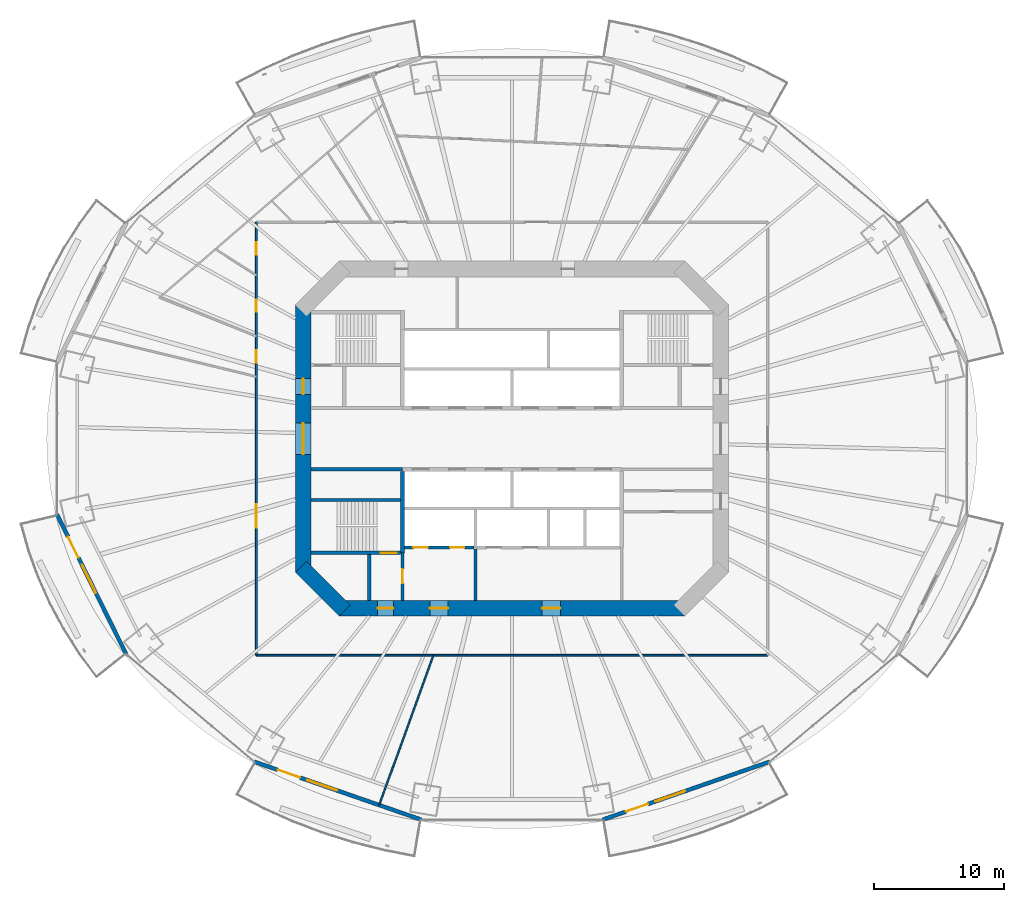
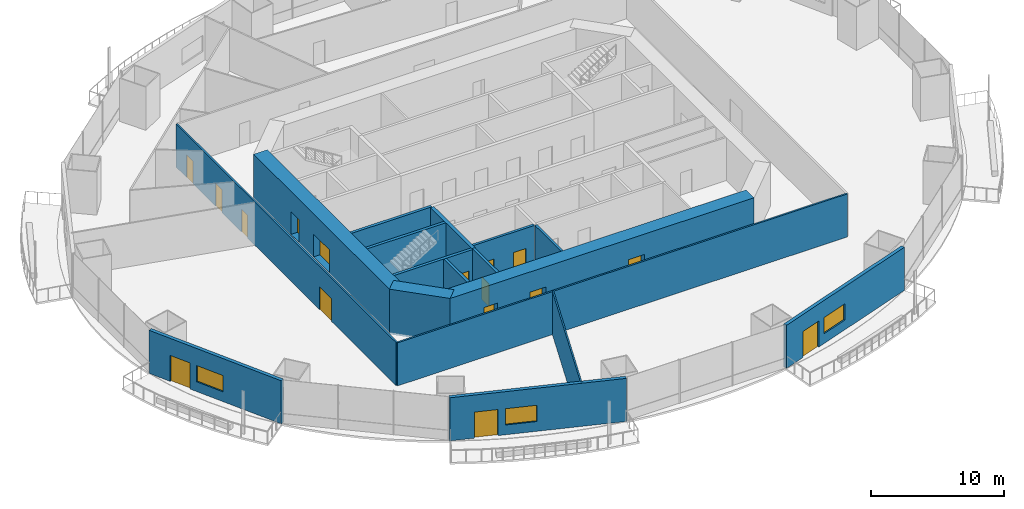
# One storey, part 13 of 22: 17 walls, 16 doors, 3 windows, 19 openings.
"""IFC4 building model written with IfcOpenShell, lengths in metres."""

from ifc_helpers import new_model, si_unit, direction, frame, frame_2d, origin, place, context, subcontext, project, spatial, rectangle, extrude, material, layer, layer_set, type_object, element, fill, save


model = new_model("IFC4")

# Units and contexts
model_context = context("Model", 3, precision=1e-05, world=origin(), true_north=direction((0.0, 1.0)))
body_context = subcontext(model_context, "Body", "Model", "MODEL_VIEW")
ifc_project = project(units=[si_unit("LENGTHUNIT", "METRE"), si_unit("AREAUNIT", "SQUARE_METRE"), si_unit("VOLUMEUNIT", "CUBIC_METRE"), si_unit("PLANEANGLEUNIT", "RADIAN"), si_unit("MASSUNIT", "GRAM", prefix="KILO")], contexts=[model_context])

# Site, building, storey
site_placement = place(None, origin())
site = spatial("IfcSite", under=ifc_project, at=site_placement, CompositionType="ELEMENT")
building_placement = place(site_placement, origin())
building = spatial("IfcBuilding", under=site, at=building_placement, Name="Marenthal Gate Tower", CompositionType="ELEMENT")
storey_placement = place(building_placement, frame((0.0, 0.0, 74.5)))
storey = spatial("IfcBuildingStorey", under=building, at=storey_placement, Name="L14", CompositionType="ELEMENT", Elevation=74.5)

# Wall, openings, doors
ifc_material_1 = material(Name="Concrete 60 MPa", Category="concrete")
ifc_layer_1 = layer(ifc_material_1, 1.199951171875)
ifc_layer_set_1 = layer_set([ifc_layer_1], Name="Core shear wall 1200")
wall_type_1 = type_object("IfcWallType", Name="Core shear wall 1200", PredefinedType="SHEAR", material=ifc_layer_set_1)
wall_1_placement = place(storey_placement, frame((-16.0, 10.24853515625, -0.179931640625), z_axis=(0.0, 0.0, 1.0), x_axis=(0.0, -1.0, 0.0)))
wall_1 = element("IfcWall", 1, at=wall_1_placement, inside=storey, type_object=wall_type_1, Name="Core wall 06", PredefinedType="SHEAR", context=body_context, shape_type="SweptSolid", body=[
    extrude(rectangle(XDim=20.4970703125, YDim=1.199951171875, at=frame_2d((10.24853515625, 0.0))), origin(), (0.0, 0.0, 1.0), 4.14990234375),
])
opening_1_placement = place(wall_1_placement, frame((9.048583984375, 0.0, 0.179931640625)))
opening_1 = element("IfcOpeningElement", 2, at=opening_1_placement, cuts=wall_1, Name="Opening D003.01", PredefinedType="OPENING", context=body_context, shape_type="SweptSolid", body=[
    extrude(rectangle(XDim=2.39990234375, YDim=2.10009765625, at=frame_2d((1.199951171875, 1.050048828125))), frame((0.0, 0.60986328125, 0.0), z_axis=(0.0, -1.0, 0.0), x_axis=(1.0, 0.0, 0.0)), (0.0, 0.0, 1.0), 1.219970703125),
])
opening_2_placement = place(wall_1_placement, frame((5.6484375, 0.0, 0.179931640625)))
opening_2 = element("IfcOpeningElement", 3, at=opening_2_placement, cuts=wall_1, Name="Opening D001.04", PredefinedType="OPENING", context=body_context, shape_type="SweptSolid", body=[
    extrude(rectangle(XDim=1.199951171875, YDim=2.10009765625, at=frame_2d((0.60009765625, 1.050048828125))), frame((0.0, 0.60986328125, 0.0), z_axis=(0.0, -1.0, 0.0), x_axis=(1.0, 0.0, 0.0)), (0.0, 0.0, 1.0), 1.219970703125),
])
ifc_material_2 = material(Name="Steel fire door", Category="steel")
door_type_1 = type_object("IfcDoorType", Name="Double fire door FD 45 2400 x 2100", OperationType="DOUBLE_DOOR_SINGLE_SWING", PredefinedType="DOOR", material=ifc_material_2)
door_1_placement = place(opening_1_placement, origin())
door_1 = element("IfcDoor", 4, at=door_1_placement, inside=storey, type_object=door_type_1, Name="Door D003.01", OperationType="DOUBLE_DOOR_SINGLE_SWING", OverallHeight=2.10009765625, OverallWidth=2.39990234375, PredefinedType="DOOR", context=body_context, shape_type="SweptSolid", body=[
    extrude(rectangle(XDim=2.39990234375, YDim=2.10009765625, at=frame_2d((1.199951171875, 1.050048828125))), frame((0.0, 0.02490234375, 0.0), z_axis=(0.0, -1.0, 0.0), x_axis=(1.0, 0.0, 0.0)), (0.0, 0.0, 1.0), 0.050048828125),
])
fill(opening_1, door_1)
ifc_material_3 = material(Name="Steel fire door", Category="steel")
door_type_2 = type_object("IfcDoorType", Name="Fire door FD 90 1200 x 2100", OperationType="NOTDEFINED", PredefinedType="DOOR", material=ifc_material_3)
door_2_placement = place(opening_2_placement, origin())
door_2 = element("IfcDoor", 5, at=door_2_placement, inside=storey, type_object=door_type_2, Name="Door D001.04", OperationType="SINGLE_SWING_RIGHT", OverallHeight=2.10009765625, OverallWidth=1.199951171875, PredefinedType="DOOR", context=body_context, shape_type="SweptSolid", body=[
    extrude(rectangle(XDim=1.199951171875, YDim=2.10009765625, at=frame_2d((0.60009765625, 1.050048828125))), frame((0.0, 0.02490234375, 0.0), z_axis=(0.0, -1.0, 0.0), x_axis=(1.0, 0.0, 0.0)), (0.0, 0.0, 1.0), 0.050048828125),
])
fill(opening_2, door_2)

# Wall
wall_2_placement = place(storey_placement, frame((-16.17578125, -9.82421875, -0.179931640625), z_axis=(0.0, 0.0, 1.0), x_axis=(0.707106781187, -0.707106781187, 0.0)))
element("IfcWall", 6, at=wall_2_placement, inside=storey, type_object=wall_type_1, Name="Core wall 07", PredefinedType="SHEAR", context=body_context, shape_type="SweptSolid", body=[
    extrude(rectangle(XDim=4.73974609375, YDim=1.199951171875, at=frame_2d((2.369873046875, 0.0))), origin(), (0.0, 0.0, 1.0), 4.14990234375),
])

# Wall, openings, doors
wall_3_placement = place(storey_placement, frame((-13.24853515625, -13.0, -0.179931640625), z_axis=(0.0, 0.0, 1.0), x_axis=(1.0, 0.0, 0.0)))
wall_3 = element("IfcWall", 7, at=wall_3_placement, inside=storey, type_object=wall_type_1, Name="Core wall 08", PredefinedType="SHEAR", context=body_context, shape_type="SweptSolid", body=[
    extrude(rectangle(XDim=26.4970703125, YDim=1.199951171875, at=frame_2d((13.24853515625, 0.0))), origin(), (0.0, 0.0, 1.0), 4.14990234375),
])
opening_3_placement = place(wall_3_placement, frame((2.948486328125, 0.0, 0.179931640625)))
opening_3 = element("IfcOpeningElement", 8, at=opening_3_placement, cuts=wall_3, Name="Opening D001.06", PredefinedType="OPENING", context=body_context, shape_type="SweptSolid", body=[
    extrude(rectangle(XDim=1.199951171875, YDim=2.10009765625, at=frame_2d((0.60009765625, 1.050048828125))), frame((0.0, 0.60986328125, 0.0), z_axis=(0.0, -1.0, 0.0), x_axis=(1.0, 0.0, 0.0)), (0.0, 0.0, 1.0), 1.219970703125),
])
opening_4_placement = place(wall_3_placement, frame((6.948486328125, 0.0, 0.179931640625)))
opening_4 = element("IfcOpeningElement", 9, at=opening_4_placement, cuts=wall_3, Name="Opening D004.01", PredefinedType="OPENING", context=body_context, shape_type="SweptSolid", body=[
    extrude(rectangle(XDim=1.39990234375, YDim=2.10009765625, at=frame_2d((0.699951171875, 1.050048828125))), frame((0.0, 0.60986328125, 0.0), z_axis=(0.0, -1.0, 0.0), x_axis=(1.0, 0.0, 0.0)), (0.0, 0.0, 1.0), 1.219970703125),
])
opening_5_placement = place(wall_3_placement, frame((15.548583984375, 0.0, 0.179931640625)))
opening_5 = element("IfcOpeningElement", 10, at=opening_5_placement, cuts=wall_3, Name="Opening D004.02", PredefinedType="OPENING", context=body_context, shape_type="SweptSolid", body=[
    extrude(rectangle(XDim=1.39990234375, YDim=2.10009765625, at=frame_2d((0.699951171875, 1.050048828125))), frame((0.0, 0.60986328125, 0.0), z_axis=(0.0, -1.0, 0.0), x_axis=(1.0, 0.0, 0.0)), (0.0, 0.0, 1.0), 1.219970703125),
])
ifc_material_4 = material(Name="Steel fire door", Category="steel")
door_type_3 = type_object("IfcDoorType", Name="Fire door FD 45 1400 x 2100", OperationType="NOTDEFINED", PredefinedType="DOOR", material=ifc_material_4)
door_3_placement = place(opening_4_placement, origin())
door_3 = element("IfcDoor", 11, at=door_3_placement, inside=storey, type_object=door_type_3, Name="Door D004.01", OperationType="SINGLE_SWING_RIGHT", OverallHeight=2.10009765625, OverallWidth=1.39990234375, PredefinedType="DOOR", context=body_context, shape_type="SweptSolid", body=[
    extrude(rectangle(XDim=1.39990234375, YDim=2.10009765625, at=frame_2d((0.699951171875, 1.050048828125))), frame((0.0, 0.02490234375, 0.0), z_axis=(0.0, -1.0, 0.0), x_axis=(1.0, 0.0, 0.0)), (0.0, 0.0, 1.0), 0.050048828125),
])
fill(opening_4, door_3)
door_4_placement = place(opening_5_placement, origin())
door_4 = element("IfcDoor", 12, at=door_4_placement, inside=storey, type_object=door_type_3, Name="Door D004.02", OperationType="SINGLE_SWING_RIGHT", OverallHeight=2.10009765625, OverallWidth=1.39990234375, PredefinedType="DOOR", context=body_context, shape_type="SweptSolid", body=[
    extrude(rectangle(XDim=1.39990234375, YDim=2.10009765625, at=frame_2d((0.699951171875, 1.050048828125))), frame((0.0, 0.02490234375, 0.0), z_axis=(0.0, -1.0, 0.0), x_axis=(1.0, 0.0, 0.0)), (0.0, 0.0, 1.0), 0.050048828125),
])
fill(opening_5, door_4)
door_5_placement = place(opening_3_placement, origin())
door_5 = element("IfcDoor", 13, at=door_5_placement, inside=storey, type_object=door_type_2, Name="Door D001.06", OperationType="SINGLE_SWING_RIGHT", OverallHeight=2.10009765625, OverallWidth=1.199951171875, PredefinedType="DOOR", context=body_context, shape_type="SweptSolid", body=[
    extrude(rectangle(XDim=1.199951171875, YDim=2.10009765625, at=frame_2d((0.60009765625, 1.050048828125))), frame((0.0, 0.02490234375, 0.0), z_axis=(0.0, -1.0, 0.0), x_axis=(1.0, 0.0, 0.0)), (0.0, 0.0, 1.0), 0.050048828125),
])
fill(opening_3, door_5)

# Walls
ifc_material_5 = material(Name="Gypsum board on steel studs", Category="steel")
ifc_layer_2 = layer(ifc_material_5, 0.199951171875)
ifc_layer_set_2 = layer_set([ifc_layer_2], Name="Fire lobby wall 200")
wall_type_2 = type_object("IfcWallType", Name="Fire lobby wall 200", PredefinedType="PARTITIONING", material=ifc_layer_set_2)
wall_4_placement = place(storey_placement, frame((-2.800048828125, -12.39990234375, 0.0), z_axis=(0.0, 0.0, 1.0), x_axis=(0.0, 1.0, 0.0)))
element("IfcWall", 14, at=wall_4_placement, inside=storey, type_object=wall_type_2, Name="Fire wall 35", PredefinedType="PARTITIONING", context=body_context, shape_type="SweptSolid", body=[
    extrude(rectangle(XDim=3.93994140625, YDim=0.199951171875, at=frame_2d((1.969970703125, 0.0))), origin(), (0.0, 0.0, 1.0), 3.969970703125),
])
ifc_material_6 = material(Name="Concrete 50 MPa", Category="concrete")
ifc_layer_3 = layer(ifc_material_6, 0.300048828125)
ifc_layer_set_3 = layer_set([ifc_layer_3], Name="Hoistway shear wall 300")
wall_type_3 = type_object("IfcWallType", Name="Hoistway shear wall 300", PredefinedType="SHEAR", material=ifc_layer_set_3)
wall_5_placement = place(storey_placement, frame((-8.39990234375, -8.75, -0.179931640625), z_axis=(0.0, 0.0, 1.0), x_axis=(0.0, 1.0, 0.0)))
element("IfcWall", 15, at=wall_5_placement, inside=storey, type_object=wall_type_3, Name="Hoistway wall 31", PredefinedType="SHEAR", context=body_context, shape_type="SweptSolid", body=[
    extrude(rectangle(XDim=6.25, YDim=0.300048828125, at=frame_2d((3.125, 0.0))), origin(), (0.0, 0.0, 1.0), 4.14990234375),
])

# Wall, openings, doors
ifc_material_7 = material(Name="Concrete 40 MPa", Category="concrete")
ifc_layer_4 = layer(ifc_material_7, 0.219970703125)
ifc_layer_set_4 = layer_set([ifc_layer_4], Name="Hoistway wall 220")
wall_type_4 = type_object("IfcWallType", Name="Hoistway wall 220", PredefinedType="STANDARD", material=ifc_layer_set_4)
wall_6_placement = place(storey_placement, frame((-8.25, -8.35009765625, 0.0), z_axis=(0.0, 0.0, 1.0), x_axis=(1.0, 0.0, 0.0)))
wall_6 = element("IfcWall", 16, at=wall_6_placement, inside=storey, type_object=wall_type_4, Name="Hoistway wall 10", PredefinedType="STANDARD", context=body_context, shape_type="SweptSolid", body=[
    extrude(rectangle(XDim=5.340087890625, YDim=0.219970703125, at=frame_2d((2.669921875, 0.0))), origin(), (0.0, 0.0, 1.0), 3.969970703125),
])
opening_6_placement = place(wall_6_placement, frame((0.699951171875, 0.0, 0.0)))
opening_6 = element("IfcOpeningElement", 17, at=opening_6_placement, cuts=wall_6, Name="Opening LD-LF1", PredefinedType="OPENING", context=body_context, shape_type="SweptSolid", body=[
    extrude(rectangle(XDim=1.10009765625, YDim=2.10009765625, at=frame_2d((0.550048828125, 1.050048828125))), frame((0.0, 0.1201171875, 0.0), z_axis=(0.0, -1.0, 0.0), x_axis=(1.0, 0.0, 0.0)), (0.0, 0.0, 1.0), 0.239990234375),
])
opening_7_placement = place(wall_6_placement, frame((3.5, 0.0, 0.0)))
opening_7 = element("IfcOpeningElement", 18, at=opening_7_placement, cuts=wall_6, Name="Opening LD-LF2", PredefinedType="OPENING", context=body_context, shape_type="SweptSolid", body=[
    extrude(rectangle(XDim=1.10009765625, YDim=2.10009765625, at=frame_2d((0.550048828125, 1.050048828125))), frame((0.0, 0.1201171875, 0.0), z_axis=(0.0, -1.0, 0.0), x_axis=(1.0, 0.0, 0.0)), (0.0, 0.0, 1.0), 0.239990234375),
])
ifc_material_8 = material(Name="Stainless steel sliding door", Category="steel")
door_type_4 = type_object("IfcDoorType", Name="Lift landing door FD 90 1100 x 2100", OperationType="DOUBLE_DOOR_SLIDING", PredefinedType="DOOR", material=ifc_material_8)
door_6_placement = place(opening_6_placement, origin())
door_6 = element("IfcDoor", 19, at=door_6_placement, inside=storey, type_object=door_type_4, Name="Lift landing door LF1", OperationType="DOUBLE_DOOR_SLIDING", OverallHeight=2.10009765625, OverallWidth=1.10009765625, PredefinedType="DOOR", context=body_context, shape_type="SweptSolid", body=[
    extrude(rectangle(XDim=1.10009765625, YDim=2.10009765625, at=frame_2d((0.550048828125, 1.050048828125))), frame((0.0, 0.02490234375, 0.0), z_axis=(0.0, -1.0, 0.0), x_axis=(1.0, 0.0, 0.0)), (0.0, 0.0, 1.0), 0.050048828125),
])
fill(opening_6, door_6)
door_7_placement = place(opening_7_placement, origin())
door_7 = element("IfcDoor", 20, at=door_7_placement, inside=storey, type_object=door_type_4, Name="Lift landing door LF2", OperationType="DOUBLE_DOOR_SLIDING", OverallHeight=2.10009765625, OverallWidth=1.10009765625, PredefinedType="DOOR", context=body_context, shape_type="SweptSolid", body=[
    extrude(rectangle(XDim=1.10009765625, YDim=2.10009765625, at=frame_2d((0.550048828125, 1.050048828125))), frame((0.0, 0.02490234375, 0.0), z_axis=(0.0, -1.0, 0.0), x_axis=(1.0, 0.0, 0.0)), (0.0, 0.0, 1.0), 0.050048828125),
])
fill(opening_7, door_7)

# Wall
ifc_material_9 = material(Name="Gypsum board on steel studs", Category="steel")
ifc_layer_5 = layer(ifc_material_9, 0.1201171875)
ifc_layer_set_5 = layer_set([ifc_layer_5], Name="Partition 120")
wall_type_5 = type_object("IfcWallType", Name="Partition 120", PredefinedType="PARTITIONING", material=ifc_layer_set_5)
wall_7_placement = place(storey_placement, frame((-6.016357421875, -16.60009765625, 0.0), z_axis=(0.0, 0.0, 1.0), x_axis=(-0.340736841992, -0.940158712404, 0.0)))
element("IfcWall", 21, at=wall_7_placement, inside=storey, type_object=wall_type_5, Name="Partition wall 56", PredefinedType="PARTITIONING", context=body_context, shape_type="SweptSolid", body=[
    extrude(rectangle(XDim=12.21728515625, YDim=0.1201171875, at=frame_2d((6.108642578125, 0.0))), origin(), (0.0, 0.0, 1.0), 3.969970703125),
])

# Wall, openings, doors
ifc_material_10 = material(Name="Gypsum board on steel studs", Category="steel")
ifc_layer_6 = layer(ifc_material_10, 0.14990234375)
ifc_layer_set_6 = layer_set([ifc_layer_6], Name="Partition 150")
wall_type_6 = type_object("IfcWallType", Name="Partition 150", PredefinedType="PARTITIONING", material=ifc_layer_set_6)
wall_8_placement = place(storey_placement, frame((-19.60009765625, -16.60009765625, 0.0), z_axis=(0.0, 0.0, 1.0), x_axis=(0.0, 1.0, 0.0)))
wall_8 = element("IfcWall", 22, at=wall_8_placement, inside=storey, type_object=wall_type_6, Name="Partition wall 49", PredefinedType="PARTITIONING", context=body_context, shape_type="SweptSolid", body=[
    extrude(rectangle(XDim=33.2001953125, YDim=0.14990234375, at=frame_2d((16.60009765625, 0.0))), origin(), (0.0, 0.0, 1.0), 3.969970703125),
])
opening_8_placement = place(wall_8_placement, frame((30.68798828125, 0.0, 0.0)))
opening_8 = element("IfcOpeningElement", 23, at=opening_8_placement, cuts=wall_8, Name="Opening D016.05", PredefinedType="OPENING", context=body_context, shape_type="SweptSolid", body=[
    extrude(rectangle(XDim=0.949951171875, YDim=2.10009765625, at=frame_2d((0.47509765625, 1.050048828125))), frame((0.0, 0.0849609375, 0.0), z_axis=(0.0, -1.0, 0.0), x_axis=(1.0, 0.0, 0.0)), (0.0, 0.0, 1.0), 0.169921875),
])
opening_9_placement = place(wall_8_placement, frame((26.31103515625, 0.0, 0.0)))
opening_9 = element("IfcOpeningElement", 24, at=opening_9_placement, cuts=wall_8, Name="Opening D016.06", PredefinedType="OPENING", context=body_context, shape_type="SweptSolid", body=[
    extrude(rectangle(XDim=0.949951171875, YDim=2.10009765625, at=frame_2d((0.47509765625, 1.050048828125))), frame((0.0, 0.0849609375, 0.0), z_axis=(0.0, -1.0, 0.0), x_axis=(1.0, 0.0, 0.0)), (0.0, 0.0, 1.0), 0.169921875),
])
opening_10_placement = place(wall_8_placement, frame((22.426025390625, 0.0, 0.0)))
opening_10 = element("IfcOpeningElement", 25, at=opening_10_placement, cuts=wall_8, Name="Opening D016.07", PredefinedType="OPENING", context=body_context, shape_type="SweptSolid", body=[
    extrude(rectangle(XDim=0.949951171875, YDim=2.10009765625, at=frame_2d((0.47509765625, 1.050048828125))), frame((0.0, 0.0849609375, 0.0), z_axis=(0.0, -1.0, 0.0), x_axis=(1.0, 0.0, 0.0)), (0.0, 0.0, 1.0), 0.169921875),
])
opening_11_placement = place(wall_8_placement, frame((9.778076171875, 0.0, 0.0)))
opening_11 = element("IfcOpeningElement", 26, at=opening_11_placement, cuts=wall_8, Name="Opening D014.02", PredefinedType="OPENING", context=body_context, shape_type="SweptSolid", body=[
    extrude(rectangle(XDim=1.800048828125, YDim=2.10009765625, at=frame_2d((0.89990234375, 1.050048828125))), frame((0.0, 0.0849609375, 0.0), z_axis=(0.0, -1.0, 0.0), x_axis=(1.0, 0.0, 0.0)), (0.0, 0.0, 1.0), 0.169921875),
])
ifc_material_11 = material(Name="Timber door", Category="wood")
door_type_5 = type_object("IfcDoorType", Name="Door 950 x 2100", OperationType="NOTDEFINED", PredefinedType="DOOR", material=ifc_material_11)
door_8_placement = place(opening_8_placement, origin())
door_8 = element("IfcDoor", 27, at=door_8_placement, inside=storey, type_object=door_type_5, Name="Door D016.05", OperationType="SINGLE_SWING_RIGHT", OverallHeight=2.10009765625, OverallWidth=0.949951171875, PredefinedType="DOOR", context=body_context, shape_type="SweptSolid", body=[
    extrude(rectangle(XDim=0.949951171875, YDim=2.10009765625, at=frame_2d((0.47509765625, 1.050048828125))), frame((0.0, 0.02490234375, 0.0), z_axis=(0.0, -1.0, 0.0), x_axis=(1.0, 0.0, 0.0)), (0.0, 0.0, 1.0), 0.050048828125),
])
fill(opening_8, door_8)
door_9_placement = place(opening_9_placement, origin())
door_9 = element("IfcDoor", 28, at=door_9_placement, inside=storey, type_object=door_type_5, Name="Door D016.06", OperationType="SINGLE_SWING_RIGHT", OverallHeight=2.10009765625, OverallWidth=0.949951171875, PredefinedType="DOOR", context=body_context, shape_type="SweptSolid", body=[
    extrude(rectangle(XDim=0.949951171875, YDim=2.10009765625, at=frame_2d((0.47509765625, 1.050048828125))), frame((0.0, 0.02490234375, 0.0), z_axis=(0.0, -1.0, 0.0), x_axis=(1.0, 0.0, 0.0)), (0.0, 0.0, 1.0), 0.050048828125),
])
fill(opening_9, door_9)
door_10_placement = place(opening_10_placement, origin())
door_10 = element("IfcDoor", 29, at=door_10_placement, inside=storey, type_object=door_type_5, Name="Door D016.07", OperationType="SINGLE_SWING_RIGHT", OverallHeight=2.10009765625, OverallWidth=0.949951171875, PredefinedType="DOOR", context=body_context, shape_type="SweptSolid", body=[
    extrude(rectangle(XDim=0.949951171875, YDim=2.10009765625, at=frame_2d((0.47509765625, 1.050048828125))), frame((0.0, 0.02490234375, 0.0), z_axis=(0.0, -1.0, 0.0), x_axis=(1.0, 0.0, 0.0)), (0.0, 0.0, 1.0), 0.050048828125),
])
fill(opening_10, door_10)
ifc_material_12 = material(Name="Timber door", Category="wood")
door_type_6 = type_object("IfcDoorType", Name="Double door 1800 x 2100", OperationType="DOUBLE_DOOR_SINGLE_SWING", PredefinedType="DOOR", material=ifc_material_12)
door_11_placement = place(opening_11_placement, origin())
door_11 = element("IfcDoor", 30, at=door_11_placement, inside=storey, type_object=door_type_6, Name="Door D014.02", OperationType="DOUBLE_DOOR_SINGLE_SWING", OverallHeight=2.10009765625, OverallWidth=1.800048828125, PredefinedType="DOOR", context=body_context, shape_type="SweptSolid", body=[
    extrude(rectangle(XDim=1.800048828125, YDim=2.10009765625, at=frame_2d((0.89990234375, 1.050048828125))), frame((0.0, 0.02490234375, 0.0), z_axis=(0.0, -1.0, 0.0), x_axis=(1.0, 0.0, 0.0)), (0.0, 0.0, 1.0), 0.050048828125),
])
fill(opening_11, door_11)

# Walls
wall_9_placement = place(storey_placement, frame((19.60009765625, -16.60009765625, 0.0), z_axis=(0.0, 0.0, 1.0), x_axis=(-1.0, 0.0, 0.0)))
element("IfcWall", 31, at=wall_9_placement, inside=storey, type_object=wall_type_6, Name="Partition wall 60", PredefinedType="PARTITIONING", context=body_context, shape_type="SweptSolid", body=[
    extrude(rectangle(XDim=39.2001953125, YDim=0.14990234375, at=frame_2d((19.60009765625, 0.0))), origin(), (0.0, 0.0, 1.0), 3.969970703125),
])
ifc_material_13 = material(Name="Concrete 40 MPa", Category="concrete")
ifc_layer_7 = layer(ifc_material_13, 0.25)
ifc_layer_set_7 = layer_set([ifc_layer_7], Name="Stair enclosure wall 250")
wall_type_7 = type_object("IfcWallType", Name="Stair enclosure wall 250", PredefinedType="STANDARD", material=ifc_layer_set_7)
wall_10_placement = place(storey_placement, frame((-15.39990234375, -2.35009765625, 0.0), z_axis=(0.0, 0.0, 1.0), x_axis=(1.0, 0.0, 0.0)))
element("IfcWall", 32, at=wall_10_placement, inside=storey, type_object=wall_type_7, Name="Stair wall 16", PredefinedType="STANDARD", context=body_context, shape_type="SweptSolid", body=[
    extrude(rectangle(XDim=7.0, YDim=0.25, at=frame_2d((3.5, 0.0))), origin(), (0.0, 0.0, 1.0), 3.969970703125),
])
wall_11_placement = place(storey_placement, frame((-10.949951171875, -12.39990234375, 0.0), z_axis=(0.0, 0.0, 1.0), x_axis=(0.0, 1.0, 0.0)))
element("IfcWall", 33, at=wall_11_placement, inside=storey, type_object=wall_type_7, Name="Stair wall 29", PredefinedType="STANDARD", context=body_context, shape_type="SweptSolid", body=[
    extrude(rectangle(XDim=3.52490234375, YDim=0.25, at=frame_2d((1.762451171875, 0.0))), origin(), (0.0, 0.0, 1.0), 3.969970703125),
])

# Wall, opening, door
wall_12_placement = place(storey_placement, frame((-8.39990234375, -12.39990234375, 0.0), z_axis=(0.0, 0.0, 1.0), x_axis=(0.0, 1.0, 0.0)))
wall_12 = element("IfcWall", 34, at=wall_12_placement, inside=storey, type_object=wall_type_7, Name="Stair wall 30", PredefinedType="STANDARD", context=body_context, shape_type="SweptSolid", body=[
    extrude(rectangle(XDim=3.64990234375, YDim=0.25, at=frame_2d((1.824951171875, 0.0))), origin(), (0.0, 0.0, 1.0), 3.969970703125),
])
opening_12_placement = place(wall_12_placement, frame((1.300048828125, 0.0, 0.0)))
opening_12 = element("IfcOpeningElement", 35, at=opening_12_placement, cuts=wall_12, Name="Opening D002.01", PredefinedType="OPENING", context=body_context, shape_type="SweptSolid", body=[
    extrude(rectangle(XDim=1.10009765625, YDim=2.10009765625, at=frame_2d((0.550048828125, 1.050048828125))), frame((0.0, 0.135009765625, 0.0), z_axis=(0.0, -1.0, 0.0), x_axis=(1.0, 0.0, 0.0)), (0.0, 0.0, 1.0), 0.27001953125),
])
ifc_material_14 = material(Name="Steel fire door", Category="steel")
door_type_7 = type_object("IfcDoorType", Name="Fire door FD 90 1100 x 2100", OperationType="NOTDEFINED", PredefinedType="DOOR", material=ifc_material_14)
door_12_placement = place(opening_12_placement, origin())
door_12 = element("IfcDoor", 36, at=door_12_placement, inside=storey, type_object=door_type_7, Name="Door D002.01", OperationType="SINGLE_SWING_RIGHT", OverallHeight=2.10009765625, OverallWidth=1.10009765625, PredefinedType="DOOR", context=body_context, shape_type="SweptSolid", body=[
    extrude(rectangle(XDim=1.10009765625, YDim=2.10009765625, at=frame_2d((0.550048828125, 1.050048828125))), frame((0.0, 0.02490234375, 0.0), z_axis=(0.0, -1.0, 0.0), x_axis=(1.0, 0.0, 0.0)), (0.0, 0.0, 1.0), 0.050048828125),
])
fill(opening_12, door_12)

ifc_material_15 = material(Name="Concrete 50 MPa", Category="concrete")
ifc_layer_8 = layer(ifc_material_15, 0.25)
ifc_layer_set_8 = layer_set([ifc_layer_8], Name="Stair shear wall 250")
wall_type_8 = type_object("IfcWallType", Name="Stair shear wall 250", PredefinedType="SHEAR", material=ifc_layer_set_8)
wall_13_placement = place(storey_placement, frame((-15.39990234375, -8.75, -0.179931640625), z_axis=(0.0, 0.0, 1.0), x_axis=(1.0, 0.0, 0.0)))
wall_13 = element("IfcWall", 37, at=wall_13_placement, inside=storey, type_object=wall_type_8, Name="Stair wall 09", PredefinedType="SHEAR", context=body_context, shape_type="SweptSolid", body=[
    extrude(rectangle(XDim=6.849853515625, YDim=0.25, at=frame_2d((3.4248046875, 0.0))), origin(), (0.0, 0.0, 1.0), 4.14990234375),
])
opening_13_placement = place(wall_13_placement, frame((5.35009765625, 0.0, 0.179931640625)))
opening_13 = element("IfcOpeningElement", 38, at=opening_13_placement, cuts=wall_13, Name="Opening D001.03", PredefinedType="OPENING", context=body_context, shape_type="SweptSolid", body=[
    extrude(rectangle(XDim=1.199951171875, YDim=2.10009765625, at=frame_2d((0.60009765625, 1.050048828125))), frame((0.0, 0.135009765625, 0.0), z_axis=(0.0, -1.0, 0.0), x_axis=(1.0, 0.0, 0.0)), (0.0, 0.0, 1.0), 0.27001953125),
])
door_13_placement = place(opening_13_placement, origin())
door_13 = element("IfcDoor", 39, at=door_13_placement, inside=storey, type_object=door_type_2, Name="Door D001.03", OperationType="SINGLE_SWING_RIGHT", OverallHeight=2.10009765625, OverallWidth=1.199951171875, PredefinedType="DOOR", context=body_context, shape_type="SweptSolid", body=[
    extrude(rectangle(XDim=1.199951171875, YDim=2.10009765625, at=frame_2d((0.60009765625, 1.050048828125))), frame((0.0, 0.02490234375, 0.0), z_axis=(0.0, -1.0, 0.0), x_axis=(1.0, 0.0, 0.0)), (0.0, 0.0, 1.0), 0.050048828125),
])
fill(opening_13, door_13)

# Wall
wall_14_placement = place(storey_placement, frame((-15.39990234375, -4.699951171875, -0.179931640625), z_axis=(0.0, 0.0, 1.0), x_axis=(1.0, 0.0, 0.0)))
element("IfcWall", 40, at=wall_14_placement, inside=storey, type_object=wall_type_8, Name="Stair wall 14", PredefinedType="SHEAR", context=body_context, shape_type="SweptSolid", body=[
    extrude(rectangle(XDim=6.849853515625, YDim=0.25, at=frame_2d((3.4248046875, 0.0))), origin(), (0.0, 0.0, 1.0), 4.14990234375),
])

# Wall, openings, door, window
ifc_material_16 = material(Name="Terracotta cladding on insulated concrete-block backing", Category="masonry")
ifc_layer_9 = layer(ifc_material_16, 0.300048828125)
ifc_layer_set_9 = layer_set([ifc_layer_9], Name="Terracotta facade wall 300")
wall_type_9 = type_object("IfcWallType", Name="Terracotta facade wall 300", PredefinedType="SOLIDWALL", material=ifc_layer_set_9)
wall_15_placement = place(storey_placement, frame((-34.869873046875, -5.810546875, 0.0), z_axis=(0.0, 0.0, 1.0), x_axis=(0.443222110109, -0.896411825619, 0.0)))
wall_15 = element("IfcWall", 41, at=wall_15_placement, inside=storey, type_object=wall_type_9, Name="Terracotta facade wall L14 bay 9", PredefinedType="SOLIDWALL", context=body_context, shape_type="SweptSolid", body=[
    extrude(rectangle(XDim=11.977294921875, YDim=0.300048828125, at=frame_2d((5.98876953125, 0.0))), origin(), (0.0, 0.0, 1.0), 3.969970703125),
])
opening_14_placement = place(wall_15_placement, frame((1.89990234375, 0.0, 0.0)))
opening_14 = element("IfcOpeningElement", 42, at=opening_14_placement, cuts=wall_15, Name="Opening BD-L14-09", PredefinedType="OPENING", context=body_context, shape_type="SweptSolid", body=[
    extrude(rectangle(XDim=1.800048828125, YDim=2.39990234375, at=frame_2d((0.89990234375, 1.199951171875))), frame((0.0, 0.16015625, 0.0), z_axis=(0.0, -1.0, 0.0), x_axis=(1.0, 0.0, 0.0)), (0.0, 0.0, 1.0), 0.320068359375),
])
opening_15_placement = place(wall_15_placement, frame((4.300048828125, 0.0, 0.89990234375)))
opening_15 = element("IfcOpeningElement", 43, at=opening_15_placement, cuts=wall_15, Name="Opening WN1-L14-09", PredefinedType="OPENING", context=body_context, shape_type="SweptSolid", body=[
    extrude(rectangle(XDim=2.39990234375, YDim=1.5, at=frame_2d((1.199951171875, 0.75))), frame((0.0, 0.16015625, 0.0), z_axis=(0.0, -1.0, 0.0), x_axis=(1.0, 0.0, 0.0)), (0.0, 0.0, 1.0), 0.320068359375),
])
ifc_material_17 = material(Name="Aluminium and glass", Category="aluminium")
door_type_8 = type_object("IfcDoorType", Name="Balcony door 1800x2400", OperationType="DOUBLE_DOOR_SINGLE_SWING", PredefinedType="DOOR", material=ifc_material_17)
door_14_placement = place(opening_14_placement, origin())
door_14 = element("IfcDoor", 44, at=door_14_placement, inside=storey, type_object=door_type_8, Name="Balcony door L14 bay 9", OperationType="SINGLE_SWING_LEFT", OverallHeight=2.39990234375, OverallWidth=1.800048828125, PredefinedType="DOOR", context=body_context, shape_type="SweptSolid", body=[
    extrude(rectangle(XDim=1.800048828125, YDim=2.39990234375, at=frame_2d((0.89990234375, 1.199951171875))), frame((0.0, 0.02490234375, 0.0), z_axis=(0.0, -1.0, 0.0), x_axis=(1.0, 0.0, 0.0)), (0.0, 0.0, 1.0), 0.050048828125),
])
fill(opening_14, door_14)
ifc_material_18 = material(Name="Aluminium and glass", Category="aluminium")
window_type = type_object("IfcWindowType", Name="Window 2400x1500", PartitioningType="TRIPLE_PANEL_VERTICAL", PredefinedType="WINDOW", material=ifc_material_18)
window_1_placement = place(opening_15_placement, origin())
window_1 = element("IfcWindow", 45, at=window_1_placement, inside=storey, type_object=window_type, Name="Window L14 bay 9", OverallHeight=1.5, OverallWidth=2.39990234375, PartitioningType="SINGLE_PANEL", PredefinedType="WINDOW", context=body_context, shape_type="SweptSolid", body=[
    extrude(rectangle(XDim=2.39990234375, YDim=1.5, at=frame_2d((1.199951171875, 0.75))), frame((0.0, 0.030029296875, 0.0), z_axis=(0.0, -1.0, 0.0), x_axis=(1.0, 0.0, 0.0)), (0.0, 0.0, 1.0), 0.06005859375),
])
fill(opening_15, window_1)

wall_16_placement = place(storey_placement, frame((-19.752197265625, -24.764404296875, 0.0), z_axis=(0.0, 0.0, 1.0), x_axis=(0.94473738927, -0.327828103304, 0.0)))
wall_16 = element("IfcWall", 46, at=wall_16_placement, inside=storey, type_object=wall_type_9, Name="Terracotta facade wall L14 bay 11", PredefinedType="SOLIDWALL", context=body_context, shape_type="SweptSolid", body=[
    extrude(rectangle(XDim=13.56591796875, YDim=0.300048828125, at=frame_2d((6.782958984375, 0.0))), origin(), (0.0, 0.0, 1.0), 3.969970703125),
])
opening_16_placement = place(wall_16_placement, frame((1.89990234375, 0.0, 0.0)))
opening_16 = element("IfcOpeningElement", 47, at=opening_16_placement, cuts=wall_16, Name="Opening BD-L14-11", PredefinedType="OPENING", context=body_context, shape_type="SweptSolid", body=[
    extrude(rectangle(XDim=1.800048828125, YDim=2.39990234375, at=frame_2d((0.89990234375, 1.199951171875))), frame((0.0, 0.16015625, 0.0), z_axis=(0.0, -1.0, 0.0), x_axis=(1.0, 0.0, 0.0)), (0.0, 0.0, 1.0), 0.320068359375),
])
opening_17_placement = place(wall_16_placement, frame((4.300048828125, 0.0, 0.89990234375)))
opening_17 = element("IfcOpeningElement", 48, at=opening_17_placement, cuts=wall_16, Name="Opening WN1-L14-11", PredefinedType="OPENING", context=body_context, shape_type="SweptSolid", body=[
    extrude(rectangle(XDim=2.39990234375, YDim=1.5, at=frame_2d((1.199951171875, 0.75))), frame((0.0, 0.16015625, 0.0), z_axis=(0.0, -1.0, 0.0), x_axis=(1.0, 0.0, 0.0)), (0.0, 0.0, 1.0), 0.320068359375),
])
door_15_placement = place(opening_16_placement, origin())
door_15 = element("IfcDoor", 49, at=door_15_placement, inside=storey, type_object=door_type_8, Name="Balcony door L14 bay 11", OperationType="SINGLE_SWING_LEFT", OverallHeight=2.39990234375, OverallWidth=1.800048828125, PredefinedType="DOOR", context=body_context, shape_type="SweptSolid", body=[
    extrude(rectangle(XDim=1.800048828125, YDim=2.39990234375, at=frame_2d((0.89990234375, 1.199951171875))), frame((0.0, 0.02490234375, 0.0), z_axis=(0.0, -1.0, 0.0), x_axis=(1.0, 0.0, 0.0)), (0.0, 0.0, 1.0), 0.050048828125),
])
fill(opening_16, door_15)
window_2_placement = place(opening_17_placement, origin())
window_2 = element("IfcWindow", 50, at=window_2_placement, inside=storey, type_object=window_type, Name="Window L14 bay 11", OverallHeight=1.5, OverallWidth=2.39990234375, PartitioningType="SINGLE_PANEL", PredefinedType="WINDOW", context=body_context, shape_type="SweptSolid", body=[
    extrude(rectangle(XDim=2.39990234375, YDim=1.5, at=frame_2d((1.199951171875, 0.75))), frame((0.0, 0.030029296875, 0.0), z_axis=(0.0, -1.0, 0.0), x_axis=(1.0, 0.0, 0.0)), (0.0, 0.0, 1.0), 0.06005859375),
])
fill(opening_17, window_2)

wall_17_placement = place(storey_placement, frame((6.93603515625, -29.211669921875, 0.0), z_axis=(0.0, 0.0, 1.0), x_axis=(0.94473738927, 0.327828103304, 0.0)))
wall_17 = element("IfcWall", 51, at=wall_17_placement, inside=storey, type_object=wall_type_9, Name="Terracotta facade wall L14 bay 13", PredefinedType="SOLIDWALL", context=body_context, shape_type="SweptSolid", body=[
    extrude(rectangle(XDim=13.56591796875, YDim=0.300048828125, at=frame_2d((6.782958984375, 0.0))), origin(), (0.0, 0.0, 1.0), 3.969970703125),
])
opening_18_placement = place(wall_17_placement, frame((1.89990234375, 0.0, 0.0)))
opening_18 = element("IfcOpeningElement", 52, at=opening_18_placement, cuts=wall_17, Name="Opening BD-L14-13", PredefinedType="OPENING", context=body_context, shape_type="SweptSolid", body=[
    extrude(rectangle(XDim=1.800048828125, YDim=2.39990234375, at=frame_2d((0.89990234375, 1.199951171875))), frame((0.0, 0.16015625, 0.0), z_axis=(0.0, -1.0, 0.0), x_axis=(1.0, 0.0, 0.0)), (0.0, 0.0, 1.0), 0.320068359375),
])
opening_19_placement = place(wall_17_placement, frame((4.300048828125, 0.0, 0.89990234375)))
opening_19 = element("IfcOpeningElement", 53, at=opening_19_placement, cuts=wall_17, Name="Opening WN1-L14-13", PredefinedType="OPENING", context=body_context, shape_type="SweptSolid", body=[
    extrude(rectangle(XDim=2.39990234375, YDim=1.5, at=frame_2d((1.199951171875, 0.75))), frame((0.0, 0.16015625, 0.0), z_axis=(0.0, -1.0, 0.0), x_axis=(1.0, 0.0, 0.0)), (0.0, 0.0, 1.0), 0.320068359375),
])
door_16_placement = place(opening_18_placement, origin())
door_16 = element("IfcDoor", 54, at=door_16_placement, inside=storey, type_object=door_type_8, Name="Balcony door L14 bay 13", OperationType="SINGLE_SWING_LEFT", OverallHeight=2.39990234375, OverallWidth=1.800048828125, PredefinedType="DOOR", context=body_context, shape_type="SweptSolid", body=[
    extrude(rectangle(XDim=1.800048828125, YDim=2.39990234375, at=frame_2d((0.89990234375, 1.199951171875))), frame((0.0, 0.02490234375, 0.0), z_axis=(0.0, -1.0, 0.0), x_axis=(1.0, 0.0, 0.0)), (0.0, 0.0, 1.0), 0.050048828125),
])
fill(opening_18, door_16)
window_3_placement = place(opening_19_placement, origin())
window_3 = element("IfcWindow", 55, at=window_3_placement, inside=storey, type_object=window_type, Name="Window L14 bay 13", OverallHeight=1.5, OverallWidth=2.39990234375, PartitioningType="SINGLE_PANEL", PredefinedType="WINDOW", context=body_context, shape_type="SweptSolid", body=[
    extrude(rectangle(XDim=2.39990234375, YDim=1.5, at=frame_2d((1.199951171875, 0.75))), frame((0.0, 0.030029296875, 0.0), z_axis=(0.0, -1.0, 0.0), x_axis=(1.0, 0.0, 0.0)), (0.0, 0.0, 1.0), 0.06005859375),
])
fill(opening_19, window_3)

save(model, "model.ifc")
